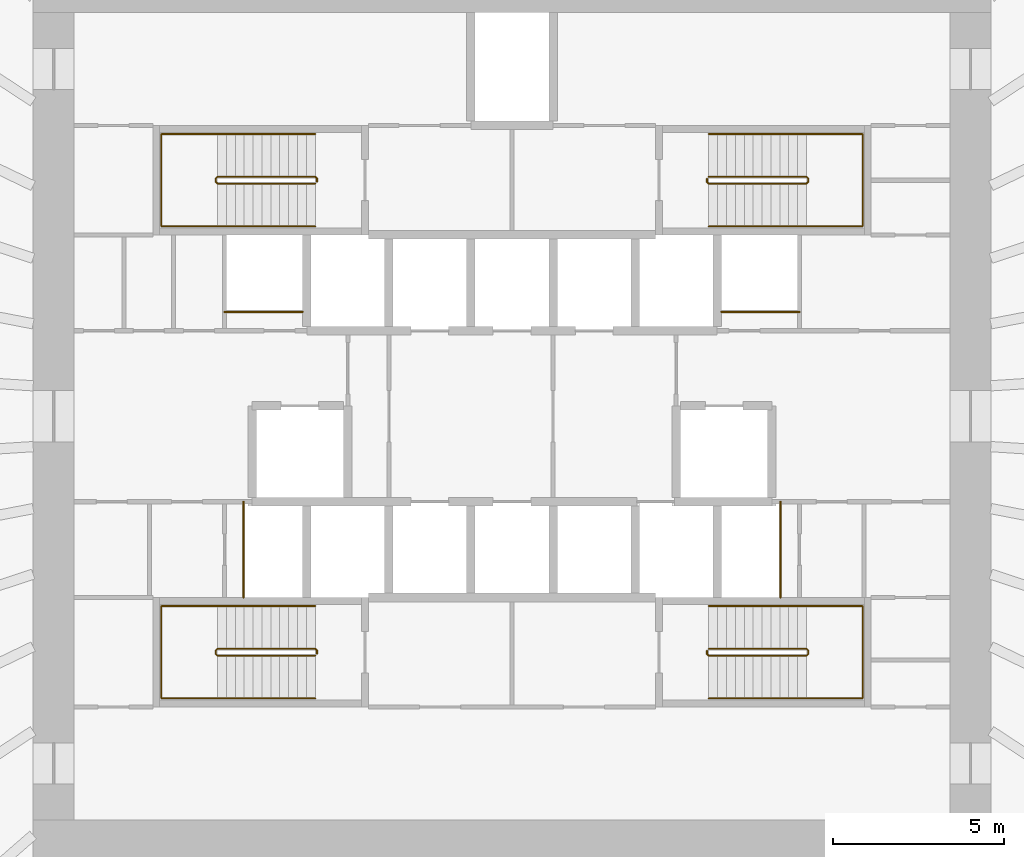
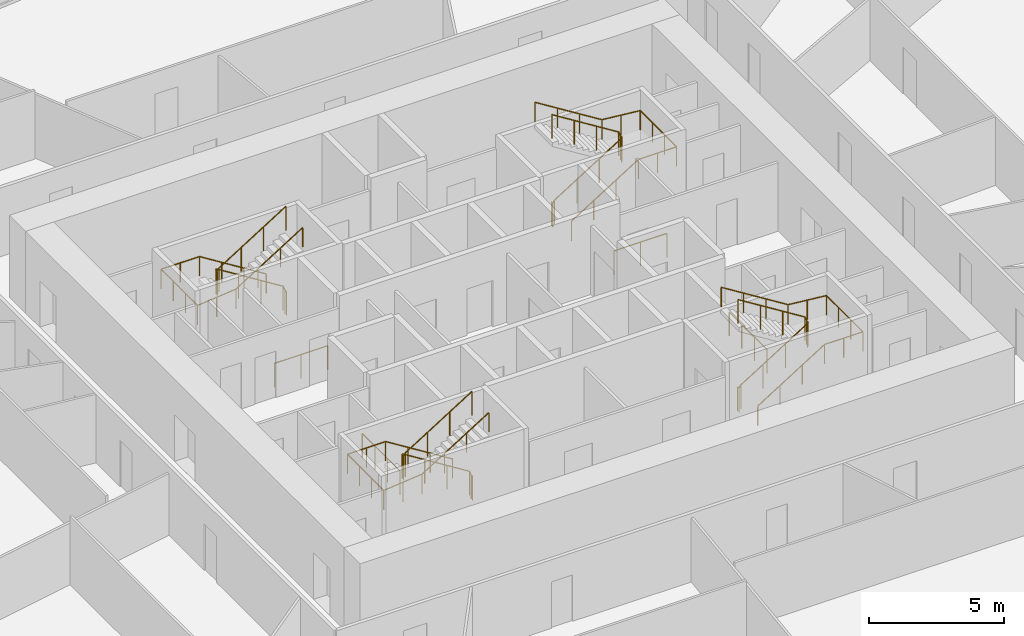
# One storey, part 11 of 11: 12 railings.
"""IFC4 building model written with IfcOpenShell, lengths in metres."""

from ifc_helpers import new_model, si_unit, direction, frame, origin, origin_2d, place, context, subcontext, project, spatial, circle, extrude, source, transform, mapped, material, type_object, element, save


model = new_model("IFC4")

# Units and contexts
model_context = context("Model", 3, precision=1e-05, world=origin(), true_north=direction((0.0, 1.0)))
body_context = subcontext(model_context, "Body", "Model", "MODEL_VIEW")
ifc_project = project(units=[si_unit("LENGTHUNIT", "METRE"), si_unit("AREAUNIT", "SQUARE_METRE"), si_unit("VOLUMEUNIT", "CUBIC_METRE"), si_unit("PLANEANGLEUNIT", "RADIAN"), si_unit("MASSUNIT", "GRAM", prefix="KILO")], contexts=[model_context])

# Site, building, storey
site_placement = place(None, origin())
site = spatial("IfcSite", under=ifc_project, at=site_placement, CompositionType="ELEMENT")
building_placement = place(site_placement, origin())
building = spatial("IfcBuilding", under=site, at=building_placement, Name="Embergate Tower", CompositionType="ELEMENT")
storey_placement = place(building_placement, frame((0.0, 0.0, 113.300048828125)))
storey = spatial("IfcBuildingStorey", under=building, at=storey_placement, Name="L24", CompositionType="ELEMENT", Elevation=113.300048828125)

# Railings
ifc_material_1 = material(Name="Stair guard 1100")
railing_type_1 = type_object("IfcRailingType", Name="Stair guard 1100", PredefinedType="GUARDRAIL", material=ifc_material_1)
shared_shape_1 = source(origin(), body_context, "Body", "SweptSolid", [
    extrude(circle(Radius=0.02392578125, at=origin_2d()), frame((0.0, 0.0, 1.076171875), z_axis=(0.0, 1.0, 0.0), x_axis=(-1.0, 0.0, 0.0)), (0.0, 0.0, 1.0), 0.099853515625),
    extrude(circle(Radius=0.02392578125, at=origin_2d()), frame((0.0, 0.099853515625, 1.076171875), z_axis=(-0.282583949758, 0.282583949758, 0.916674763849), x_axis=(-0.707106781187, -0.707106781187, 0.0)), (0.0, 0.0, 1.0), 0.177001953125),
    extrude(circle(Radius=0.02392578125, at=origin_2d()), frame((-0.050048828125, 0.14990234375, 1.23828125), z_axis=(-0.847994237388, 0.0, 0.530005446535), x_axis=(0.0, -1.0, 0.0)), (0.0, 0.0, 1.0), 3.372802734375),
    extrude(circle(Radius=0.02392578125, at=origin_2d()), frame((-2.91015625, 0.14990234375, 3.02587890625), z_axis=(-0.705375805398, -0.708833529934, 0.0), x_axis=(0.708833529934, -0.705375805398, 0.0)), (0.0, 0.0, 1.0), 0.070556640625),
    extrude(circle(Radius=0.02392578125, at=origin_2d()), frame((-2.9599609375, 0.099853515625, 3.02587890625), z_axis=(0.0, -1.0, 0.0), x_axis=(1.0, 0.0, 0.0)), (0.0, 0.0, 1.0), 0.099853515625),
    extrude(circle(Radius=0.02392578125, at=origin_2d()), frame((-2.9599609375, 0.0, 3.02587890625), z_axis=(0.280959487676, -0.282336740067, 0.917250092119), x_axis=(0.708833529934, 0.705375805398, 0.0)), (0.0, 0.0, 1.0), 0.17724609375),
    extrude(circle(Radius=0.02392578125, at=origin_2d()), frame((-2.91015625, -0.050048828125, 3.1884765625), z_axis=(0.848026770018, 0.0, 0.529953391661), x_axis=(0.0, 1.0, 0.0)), (0.0, 0.0, 1.0), 3.37255859375),
    extrude(circle(Radius=0.02099609375, at=origin_2d()), origin(), (0.0, 0.0, 1.0), 1.052001953125),
    extrude(circle(Radius=0.02099609375, at=origin_2d()), frame((0.0, 0.099853515625, 0.0)), (0.0, 0.0, 1.0), 1.052001953125),
    extrude(circle(Radius=0.02099609375, at=origin_2d()), frame((-0.050048828125, 0.14990234375, 0.162353515625)), (0.0, 0.0, 1.0), 1.052001953125),
    extrude(circle(Radius=0.02099609375, at=origin_2d()), frame((-1.00341796875, 0.14990234375, 0.75830078125)), (0.0, 0.0, 1.0), 1.052001953125),
    extrude(circle(Radius=0.02099609375, at=origin_2d()), frame((-1.956787109375, 0.14990234375, 1.35400390625)), (0.0, 0.0, 1.0), 1.052001953125),
    extrude(circle(Radius=0.02099609375, at=origin_2d()), frame((-2.91015625, 0.14990234375, 1.949951171875)), (0.0, 0.0, 1.0), 1.052001953125),
    extrude(circle(Radius=0.02099609375, at=origin_2d()), frame((-2.9599609375, 0.099853515625, 1.949951171875)), (0.0, 0.0, 1.0), 1.052001953125),
    extrude(circle(Radius=0.02099609375, at=origin_2d()), frame((-2.9599609375, 0.0, 1.949951171875)), (0.0, 0.0, 1.0), 1.052001953125),
    extrude(circle(Radius=0.02099609375, at=origin_2d()), frame((-2.91015625, -0.050048828125, 2.112548828125)), (0.0, 0.0, 1.0), 1.052001953125),
    extrude(circle(Radius=0.02099609375, at=origin_2d()), frame((-1.956787109375, -0.050048828125, 2.708251953125)), (0.0, 0.0, 1.0), 1.052001953125),
    extrude(circle(Radius=0.02099609375, at=origin_2d()), frame((-1.00341796875, -0.050048828125, 3.30419921875)), (0.0, 0.0, 1.0), 1.052001953125),
    extrude(circle(Radius=0.02099609375, at=origin_2d()), frame((-0.050048828125, -0.050048828125, 3.89990234375)), (0.0, 0.0, 1.0), 1.052001953125),
])
for number, where, name in (
    (1, (-5.699951171875, 6.85009765625, 0.0), "L24 ST1 stair guard 1"),
    (2, (-5.699951171875, -6.949951171875, 0.0), "L24 ST3 stair guard 1"),
):
    element("IfcRailing", number, at=place(storey_placement, frame(where)), inside=storey, type_object=railing_type_1, Name=name, PredefinedType="GUARDRAIL", context=body_context, shape_type="MappedRepresentation", body=[
        mapped(shared_shape_1, transform((0.0, 0.0, 0.0))),
    ])
ifc_material_2 = material(Name="Stair handrail 900")
railing_type_2 = type_object("IfcRailingType", Name="Stair handrail 900", PredefinedType="HANDRAIL", material=ifc_material_2)
shared_shape_2 = source(origin(), body_context, "Body", "SweptSolid", [
    extrude(circle(Radius=0.02392578125, at=origin_2d()), frame((0.0, 0.0, 0.8759765625), z_axis=(-0.847994237388, 0.0, 0.530005446535), x_axis=(0.0, -1.0, 0.0)), (0.0, 0.0, 1.0), 3.372802734375),
    extrude(circle(Radius=0.02392578125, at=origin_2d()), frame((-2.860107421875, 0.0, 2.66357421875), z_axis=(-1.0, 0.0, 0.0), x_axis=(0.0, -1.0, 0.0)), (0.0, 0.0, 1.0), 1.639892578125),
    extrude(circle(Radius=0.02392578125, at=origin_2d()), frame((-4.5, 0.0, 2.66357421875), z_axis=(0.0, -1.0, 0.0), x_axis=(1.0, 0.0, 0.0)), (0.0, 0.0, 1.0), 2.699951171875),
    extrude(circle(Radius=0.02392578125, at=origin_2d()), frame((-4.5, -2.699951171875, 2.66357421875), z_axis=(0.995120448088, 0.0, 0.098667592441), x_axis=(0.0, 1.0, 0.0)), (0.0, 0.0, 1.0), 1.64794921875),
    extrude(circle(Radius=0.02392578125, at=origin_2d()), frame((-2.860107421875, -2.699951171875, 2.826171875), z_axis=(0.848026770018, 0.0, 0.529953391661), x_axis=(0.0, 1.0, 0.0)), (0.0, 0.0, 1.0), 3.37255859375),
    extrude(circle(Radius=0.02099609375, at=origin_2d()), origin(), (0.0, 0.0, 1.0), 0.851806640625),
    extrude(circle(Radius=0.02099609375, at=origin_2d()), frame((-0.953369140625, 0.0, 0.595947265625)), (0.0, 0.0, 1.0), 0.851806640625),
    extrude(circle(Radius=0.02099609375, at=origin_2d()), frame((-1.90673828125, 0.0, 1.191650390625)), (0.0, 0.0, 1.0), 0.851806640625),
    extrude(circle(Radius=0.02099609375, at=origin_2d()), frame((-2.860107421875, 0.0, 1.78759765625)), (0.0, 0.0, 1.0), 0.851806640625),
    extrude(circle(Radius=0.02099609375, at=origin_2d()), frame((-3.68017578125, 0.0, 1.78759765625)), (0.0, 0.0, 1.0), 0.851806640625),
    extrude(circle(Radius=0.02099609375, at=origin_2d()), frame((-4.5, 0.0, 1.78759765625)), (0.0, 0.0, 1.0), 0.851806640625),
    extrude(circle(Radius=0.02099609375, at=origin_2d()), frame((-4.5, -0.89990234375, 1.78759765625)), (0.0, 0.0, 1.0), 0.851806640625),
    extrude(circle(Radius=0.02099609375, at=origin_2d()), frame((-4.5, -1.800048828125, 1.78759765625)), (0.0, 0.0, 1.0), 0.851806640625),
    extrude(circle(Radius=0.02099609375, at=origin_2d()), frame((-4.5, -2.699951171875, 1.78759765625)), (0.0, 0.0, 1.0), 0.851806640625),
    extrude(circle(Radius=0.02099609375, at=origin_2d()), frame((-3.68017578125, -2.699951171875, 1.868896484375)), (0.0, 0.0, 1.0), 0.851806640625),
    extrude(circle(Radius=0.02099609375, at=origin_2d()), frame((-2.860107421875, -2.699951171875, 1.9501953125)), (0.0, 0.0, 1.0), 0.851806640625),
    extrude(circle(Radius=0.02099609375, at=origin_2d()), frame((-1.90673828125, -2.699951171875, 2.5458984375)), (0.0, 0.0, 1.0), 0.851806640625),
    extrude(circle(Radius=0.02099609375, at=origin_2d()), frame((-0.953369140625, -2.699951171875, 3.141845703125)), (0.0, 0.0, 1.0), 0.851806640625),
    extrude(circle(Radius=0.02099609375, at=origin_2d()), frame((0.0, -2.699951171875, 3.737548828125)), (0.0, 0.0, 1.0), 0.851806640625),
])
for number, where, name in (
    (3, (-5.75, 8.25, 0.162353515625), "L24 ST1 stair handrail 1"),
    (4, (-5.75, -5.550048828125, 0.162353515625), "L24 ST3 stair handrail 1"),
):
    element("IfcRailing", number, at=place(storey_placement, frame(where)), inside=storey, type_object=railing_type_2, Name=name, PredefinedType="HANDRAIL", context=body_context, shape_type="MappedRepresentation", body=[
        mapped(shared_shape_2, transform((0.0, 0.0, 0.0))),
    ])
shared_shape_3 = source(origin(), body_context, "Body", "SweptSolid", [
    extrude(circle(Radius=0.02392578125, at=origin_2d()), frame((0.0, 0.0, 1.076171875), z_axis=(0.0, -1.0, 0.0), x_axis=(1.0, 0.0, 0.0)), (0.0, 0.0, 1.0), 0.099853515625),
    extrude(circle(Radius=0.02392578125, at=origin_2d()), frame((0.0, -0.099853515625, 1.076171875), z_axis=(0.282583949758, -0.282583949758, 0.916674763849), x_axis=(0.707106781187, 0.707106781187, 0.0)), (0.0, 0.0, 1.0), 0.177001953125),
    extrude(circle(Radius=0.02392578125, at=origin_2d()), frame((0.050048828125, -0.14990234375, 1.23828125), z_axis=(0.847994237388, 0.0, 0.530005446535), x_axis=(0.0, 1.0, 0.0)), (0.0, 0.0, 1.0), 3.372802734375),
    extrude(circle(Radius=0.02392578125, at=origin_2d()), frame((2.91015625, -0.14990234375, 3.02587890625), z_axis=(0.705375805398, 0.708833529934, 0.0), x_axis=(-0.708833529934, 0.705375805398, 0.0)), (0.0, 0.0, 1.0), 0.070556640625),
    extrude(circle(Radius=0.02392578125, at=origin_2d()), frame((2.9599609375, -0.099853515625, 3.02587890625), z_axis=(0.0, 1.0, 0.0), x_axis=(-1.0, 0.0, 0.0)), (0.0, 0.0, 1.0), 0.099853515625),
    extrude(circle(Radius=0.02392578125, at=origin_2d()), frame((2.9599609375, 0.0, 3.02587890625), z_axis=(-0.280959487676, 0.282336740067, 0.917250092119), x_axis=(-0.708833529934, -0.705375805398, 0.0)), (0.0, 0.0, 1.0), 0.17724609375),
    extrude(circle(Radius=0.02392578125, at=origin_2d()), frame((2.91015625, 0.050048828125, 3.1884765625), z_axis=(-0.848026770018, 0.0, 0.529953391661), x_axis=(0.0, -1.0, 0.0)), (0.0, 0.0, 1.0), 3.37255859375),
    extrude(circle(Radius=0.02099609375, at=origin_2d()), origin(), (0.0, 0.0, 1.0), 1.052001953125),
    extrude(circle(Radius=0.02099609375, at=origin_2d()), frame((0.0, -0.099853515625, 0.0)), (0.0, 0.0, 1.0), 1.052001953125),
    extrude(circle(Radius=0.02099609375, at=origin_2d()), frame((0.050048828125, -0.14990234375, 0.162353515625)), (0.0, 0.0, 1.0), 1.052001953125),
    extrude(circle(Radius=0.02099609375, at=origin_2d()), frame((1.00341796875, -0.14990234375, 0.75830078125)), (0.0, 0.0, 1.0), 1.052001953125),
    extrude(circle(Radius=0.02099609375, at=origin_2d()), frame((1.956787109375, -0.14990234375, 1.35400390625)), (0.0, 0.0, 1.0), 1.052001953125),
    extrude(circle(Radius=0.02099609375, at=origin_2d()), frame((2.91015625, -0.14990234375, 1.949951171875)), (0.0, 0.0, 1.0), 1.052001953125),
    extrude(circle(Radius=0.02099609375, at=origin_2d()), frame((2.9599609375, -0.099853515625, 1.949951171875)), (0.0, 0.0, 1.0), 1.052001953125),
    extrude(circle(Radius=0.02099609375, at=origin_2d()), frame((2.9599609375, 0.0, 1.949951171875)), (0.0, 0.0, 1.0), 1.052001953125),
    extrude(circle(Radius=0.02099609375, at=origin_2d()), frame((2.91015625, 0.050048828125, 2.112548828125)), (0.0, 0.0, 1.0), 1.052001953125),
    extrude(circle(Radius=0.02099609375, at=origin_2d()), frame((1.956787109375, 0.050048828125, 2.708251953125)), (0.0, 0.0, 1.0), 1.052001953125),
    extrude(circle(Radius=0.02099609375, at=origin_2d()), frame((1.00341796875, 0.050048828125, 3.30419921875)), (0.0, 0.0, 1.0), 1.052001953125),
    extrude(circle(Radius=0.02099609375, at=origin_2d()), frame((0.050048828125, 0.050048828125, 3.89990234375)), (0.0, 0.0, 1.0), 1.052001953125),
])
for number, where, name in (
    (5, (5.699951171875, 6.949951171875, 0.0), "L24 ST2 stair guard 1"),
    (6, (5.699951171875, -6.85009765625, 0.0), "L24 ST4 stair guard 1"),
):
    element("IfcRailing", number, at=place(storey_placement, frame(where)), inside=storey, type_object=railing_type_1, Name=name, PredefinedType="GUARDRAIL", context=body_context, shape_type="MappedRepresentation", body=[
        mapped(shared_shape_3, transform((0.0, 0.0, 0.0))),
    ])
shared_shape_4 = source(origin(), body_context, "Body", "SweptSolid", [
    extrude(circle(Radius=0.02392578125, at=origin_2d()), frame((0.0, 0.0, 0.8759765625), z_axis=(0.847994237388, 0.0, 0.530005446535), x_axis=(0.0, 1.0, 0.0)), (0.0, 0.0, 1.0), 3.372802734375),
    extrude(circle(Radius=0.02392578125, at=origin_2d()), frame((2.860107421875, 0.0, 2.66357421875), z_axis=(1.0, 0.0, 0.0), x_axis=(0.0, 1.0, 0.0)), (0.0, 0.0, 1.0), 1.639892578125),
    extrude(circle(Radius=0.02392578125, at=origin_2d()), frame((4.5, 0.0, 2.66357421875), z_axis=(0.0, 1.0, 0.0), x_axis=(-1.0, 0.0, 0.0)), (0.0, 0.0, 1.0), 2.699951171875),
    extrude(circle(Radius=0.02392578125, at=origin_2d()), frame((4.5, 2.699951171875, 2.66357421875), z_axis=(-0.995120448088, 0.0, 0.098667592441), x_axis=(0.0, -1.0, 0.0)), (0.0, 0.0, 1.0), 1.64794921875),
    extrude(circle(Radius=0.02392578125, at=origin_2d()), frame((2.860107421875, 2.699951171875, 2.826171875), z_axis=(-0.848026770018, 0.0, 0.529953391661), x_axis=(0.0, -1.0, 0.0)), (0.0, 0.0, 1.0), 3.37255859375),
    extrude(circle(Radius=0.02099609375, at=origin_2d()), origin(), (0.0, 0.0, 1.0), 0.851806640625),
    extrude(circle(Radius=0.02099609375, at=origin_2d()), frame((0.953369140625, 0.0, 0.595947265625)), (0.0, 0.0, 1.0), 0.851806640625),
    extrude(circle(Radius=0.02099609375, at=origin_2d()), frame((1.90673828125, 0.0, 1.191650390625)), (0.0, 0.0, 1.0), 0.851806640625),
    extrude(circle(Radius=0.02099609375, at=origin_2d()), frame((2.860107421875, 0.0, 1.78759765625)), (0.0, 0.0, 1.0), 0.851806640625),
    extrude(circle(Radius=0.02099609375, at=origin_2d()), frame((3.68017578125, 0.0, 1.78759765625)), (0.0, 0.0, 1.0), 0.851806640625),
    extrude(circle(Radius=0.02099609375, at=origin_2d()), frame((4.5, 0.0, 1.78759765625)), (0.0, 0.0, 1.0), 0.851806640625),
    extrude(circle(Radius=0.02099609375, at=origin_2d()), frame((4.5, 0.89990234375, 1.78759765625)), (0.0, 0.0, 1.0), 0.851806640625),
    extrude(circle(Radius=0.02099609375, at=origin_2d()), frame((4.5, 1.800048828125, 1.78759765625)), (0.0, 0.0, 1.0), 0.851806640625),
    extrude(circle(Radius=0.02099609375, at=origin_2d()), frame((4.5, 2.699951171875, 1.78759765625)), (0.0, 0.0, 1.0), 0.851806640625),
    extrude(circle(Radius=0.02099609375, at=origin_2d()), frame((3.68017578125, 2.699951171875, 1.868896484375)), (0.0, 0.0, 1.0), 0.851806640625),
    extrude(circle(Radius=0.02099609375, at=origin_2d()), frame((2.860107421875, 2.699951171875, 1.9501953125)), (0.0, 0.0, 1.0), 0.851806640625),
    extrude(circle(Radius=0.02099609375, at=origin_2d()), frame((1.90673828125, 2.699951171875, 2.5458984375)), (0.0, 0.0, 1.0), 0.851806640625),
    extrude(circle(Radius=0.02099609375, at=origin_2d()), frame((0.953369140625, 2.699951171875, 3.141845703125)), (0.0, 0.0, 1.0), 0.851806640625),
    extrude(circle(Radius=0.02099609375, at=origin_2d()), frame((0.0, 2.699951171875, 3.737548828125)), (0.0, 0.0, 1.0), 0.851806640625),
])
for number, where, name in (
    (7, (5.75, 5.550048828125, 0.162353515625), "L24 ST2 stair handrail 1"),
    (8, (5.75, -8.25, 0.162353515625), "L24 ST4 stair handrail 1"),
):
    element("IfcRailing", number, at=place(storey_placement, frame(where)), inside=storey, type_object=railing_type_2, Name=name, PredefinedType="HANDRAIL", context=body_context, shape_type="MappedRepresentation", body=[
        mapped(shared_shape_4, transform((0.0, 0.0, 0.0))),
    ])
ifc_material_3 = material(Name="Opening guard 1100")
railing_type_3 = type_object("IfcRailingType", Name="Opening guard 1100", PredefinedType="GUARDRAIL", material=ifc_material_3)
shared_shape_5 = source(origin(), body_context, "Body", "SweptSolid", [
    extrude(circle(Radius=0.02392578125, at=origin_2d()), frame((0.0, 0.0, 1.076171875), z_axis=(1.0, 0.0, 0.0), x_axis=(0.0, 1.0, 0.0)), (0.0, 0.0, 1.0), 2.27490234375),
    extrude(circle(Radius=0.02099609375, at=origin_2d()), origin(), (0.0, 0.0, 1.0), 1.052001953125),
    extrude(circle(Radius=0.02099609375, at=origin_2d()), frame((1.137451171875, 0.0, 0.0)), (0.0, 0.0, 1.0), 1.052001953125),
    extrude(circle(Radius=0.02099609375, at=origin_2d()), frame((2.27490234375, 0.0, 0.0)), (0.0, 0.0, 1.0), 1.052001953125),
])
for number, where, name in (
    (9, (-8.39990234375, 3.050048828125, 0.0), "Riser opening guard"),
    (10, (6.125, 3.050048828125, 0.0), "Riser opening guard"),
):
    element("IfcRailing", number, at=place(storey_placement, frame(where)), inside=storey, type_object=railing_type_3, Name=name, PredefinedType="GUARDRAIL", context=body_context, shape_type="MappedRepresentation", body=[
        mapped(shared_shape_5, transform((0.0, 0.0, 0.0))),
    ])
shared_shape_6 = source(origin(), body_context, "Body", "SweptSolid", [
    extrude(circle(Radius=0.02392578125, at=origin_2d()), frame((0.0, 0.0, 1.076171875), z_axis=(0.0, 1.0, 0.0), x_axis=(-1.0, 0.0, 0.0)), (0.0, 0.0, 1.0), 2.800048828125),
    extrude(circle(Radius=0.02099609375, at=origin_2d()), origin(), (0.0, 0.0, 1.0), 1.052001953125),
    extrude(circle(Radius=0.02099609375, at=origin_2d()), frame((0.0, 0.933349609375, 0.0)), (0.0, 0.0, 1.0), 1.052001953125),
    extrude(circle(Radius=0.02099609375, at=origin_2d()), frame((0.0, 1.86669921875, 0.0)), (0.0, 0.0, 1.0), 1.052001953125),
    extrude(circle(Radius=0.02099609375, at=origin_2d()), frame((0.0, 2.800048828125, 0.0)), (0.0, 0.0, 1.0), 1.052001953125),
])
for number, where, name in (
    (11, (-7.85009765625, -5.300048828125, 0.0), "Riser opening guard"),
    (12, (7.85009765625, -5.300048828125, 0.0), "Riser opening guard"),
):
    element("IfcRailing", number, at=place(storey_placement, frame(where)), inside=storey, type_object=railing_type_3, Name=name, PredefinedType="GUARDRAIL", context=body_context, shape_type="MappedRepresentation", body=[
        mapped(shared_shape_6, transform((0.0, 0.0, 0.0))),
    ])

save(model, "model.ifc")
